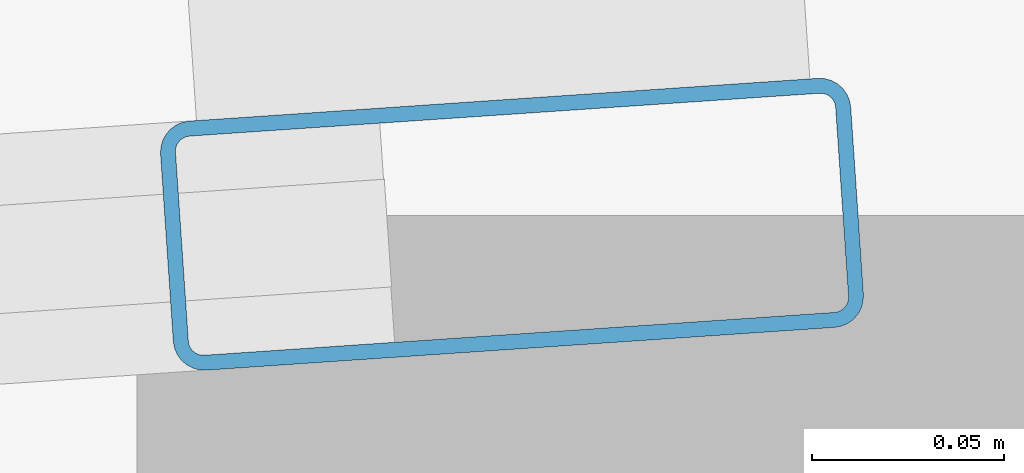
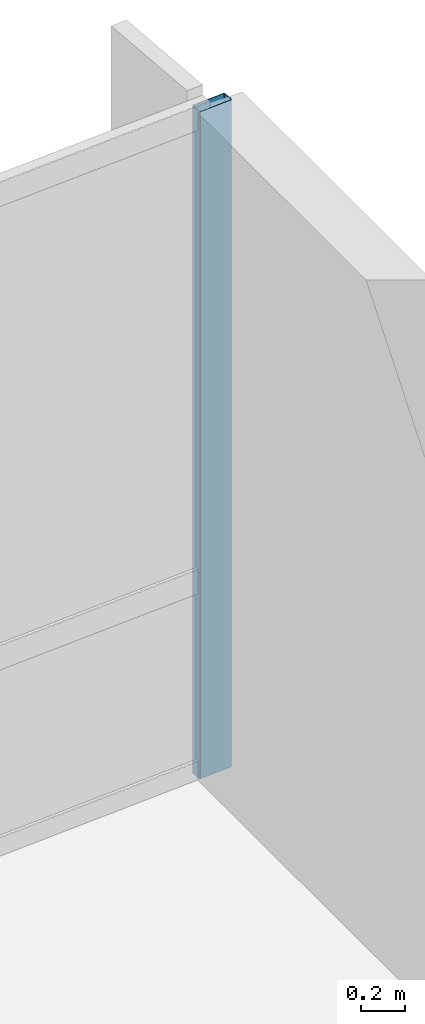
# One storey, part 9 of 16: 1 member, 1 element without a shape of its own.
"""IFC4 building model written with IfcOpenShell, lengths in metres."""

from ifc_helpers import new_model, si_unit, direction, frame, origin, origin_2d, place, context, subcontext, project, spatial, hollow_rectangle, extrude, material, layer, layer_set, material_profile, profile_set, type_object, element, aggregate, save


model = new_model("IFC4")

# Units and contexts
model_context = context("Model", 3, precision=1e-05, world=origin(), true_north=direction((0.0, 1.0)))
body_context = subcontext(model_context, "Body", "Model", "MODEL_VIEW")
ifc_project = project(units=[si_unit("LENGTHUNIT", "METRE"), si_unit("AREAUNIT", "SQUARE_METRE"), si_unit("VOLUMEUNIT", "CUBIC_METRE"), si_unit("PLANEANGLEUNIT", "RADIAN"), si_unit("MASSUNIT", "GRAM", prefix="KILO")], contexts=[model_context])

# Site, building, storey
site_placement = place(None, origin())
site = spatial("IfcSite", under=ifc_project, at=site_placement, CompositionType="ELEMENT")
building_placement = place(site_placement, origin())
building = spatial("IfcBuilding", under=site, at=building_placement, Name="Varnakote Quay Hospital", CompositionType="ELEMENT")
storey_placement = place(building_placement, frame((0.0, 0.0, 180.25)))
storey = spatial("IfcBuildingStorey", under=building, at=storey_placement, Name="L44", CompositionType="ELEMENT", Elevation=180.25)

# Curtain wall, member
ifc_material_1 = material(Name="Anodised aluminium 6063-T6 Bronze", Category="aluminium")
ifc_layer = layer(ifc_material_1, 0.219970703125)
ifc_layer_set = layer_set([ifc_layer], Name="Anodised aluminium 6063-T6 Bronze")
curtain_wall_type = type_object("IfcCurtainWallType", Name="CW-SYS-4", PredefinedType="NOTDEFINED", material=ifc_layer_set)
curtain_wall_placement = place(storey_placement, origin())
curtain_wall = element("IfcCurtainWall", 1, at=curtain_wall_placement, inside=storey, type_object=curtain_wall_type, Name="L44 Unitised Bronze Curtain Wall 2", PredefinedType="NOTDEFINED")
ifc_material_2 = material(Name="Anodised aluminium 6063-T6 Bronze", Category="aluminium")
ifc_material_profile = material_profile(ifc_material_2, hollow_rectangle(XDim=0.06494140625, YDim=0.179931640625, WallThickness=0.00390625, InnerFilletRadius=0.00390625, OuterFilletRadius=0.008056640625, at=origin_2d()), Name="CW-MULL-180x65")
ifc_profile_set = profile_set([ifc_material_profile], Name="Anodised aluminium 6063-T6 Bronze")
member_type = type_object("IfcMemberType", Name="CW-MULL-180x65", PredefinedType="MULLION", material=ifc_profile_set)
member_placement = place(storey_placement, frame((48.507568359375, 31.626708984375, 0.0), z_axis=(0.0, 0.0, 1.0), x_axis=(0.067841851077, -0.997696087615, 0.0)))
member = element("IfcMember", 2, at=member_placement, type_object=member_type, Name="-4-L44-2 mullion 1", PredefinedType="MULLION", context=body_context, shape_type="SweptSolid", body=[
    extrude(hollow_rectangle(XDim=0.06494140625, YDim=0.179931640625, WallThickness=0.00390625, InnerFilletRadius=0.00390625, OuterFilletRadius=0.008056640625, at=origin_2d()), origin(), (0.0, 0.0, 1.0), 3.7099609375),
])
aggregate(curtain_wall, [member])

save(model, "model.ifc")
